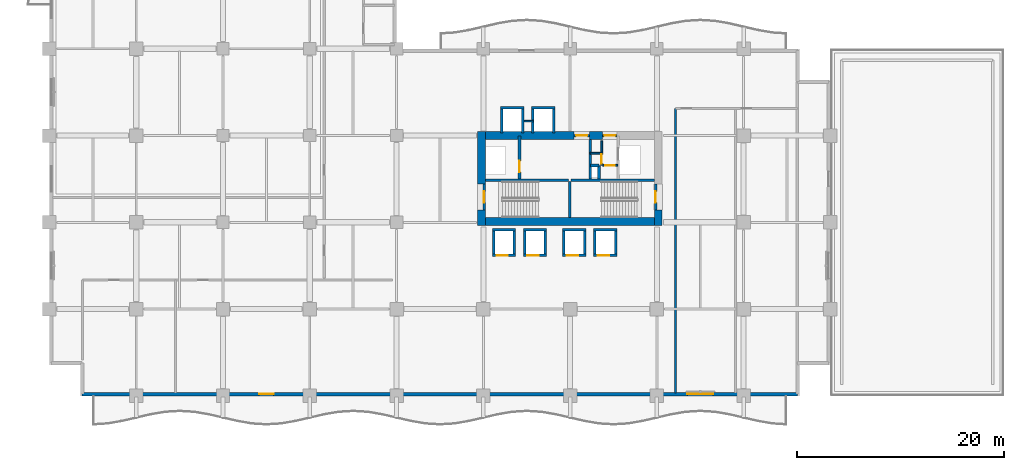
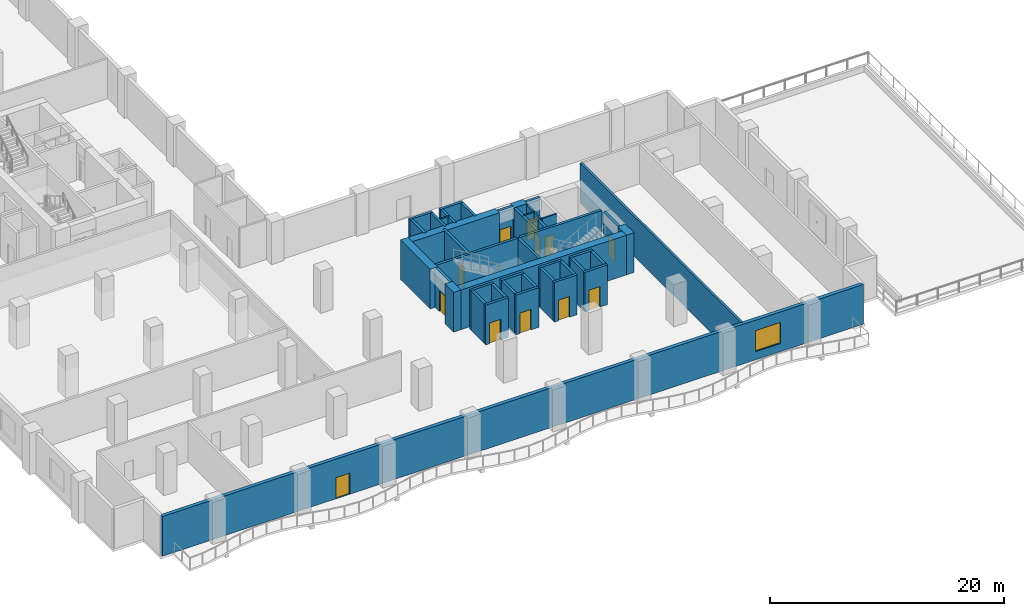
# One storey, part 8 of 21: 45 walls, 12 doors, 1 window, 13 openings.
"""IFC4 building model written with IfcOpenShell, lengths in metres."""

from ifc_helpers import new_model, si_unit, direction, frame, frame_2d, origin, place, context, subcontext, project, spatial, rectangle, extrude, material, layer, layer_set, type_object, element, fill, save


model = new_model("IFC4")

# Units and contexts
model_context = context("Model", 3, precision=1e-05, world=origin(), true_north=direction((0.0, 1.0)))
body_context = subcontext(model_context, "Body", "Model", "MODEL_VIEW")
ifc_project = project(units=[si_unit("LENGTHUNIT", "METRE"), si_unit("AREAUNIT", "SQUARE_METRE"), si_unit("VOLUMEUNIT", "CUBIC_METRE"), si_unit("PLANEANGLEUNIT", "RADIAN"), si_unit("MASSUNIT", "GRAM", prefix="KILO")], contexts=[model_context])

# Site, building, storey
site_placement = place(None, origin())
site = spatial("IfcSite", under=ifc_project, at=site_placement, CompositionType="ELEMENT")
building_placement = place(site_placement, origin())
building = spatial("IfcBuilding", under=site, at=building_placement, Name="Koriwani Terraces Tower", CompositionType="ELEMENT")
storey_placement = place(building_placement, frame((0.0, 0.0, 85.199951171875)))
storey = spatial("IfcBuildingStorey", under=building, at=storey_placement, Name="L20", CompositionType="ELEMENT", Elevation=85.199951171875)

# Walls
ifc_material_1 = material(Name="Concrete C60/75", Category="concrete")
ifc_layer_1 = layer(ifc_material_1, 0.75, Name="Concrete C60/75")
ifc_layer_set_1 = layer_set([ifc_layer_1], Name="Concrete C60/75")
wall_type_1 = type_object("IfcWallType", Name="WALL_CORE_RC_750", PredefinedType="SHEAR", material=ifc_layer_set_1)
wall_1_placement = place(storey_placement, frame((41.824951171875, 16.5, 0.0), z_axis=(0.0, 0.0, 1.0), x_axis=(0.0, 1.0, 0.0)))
element("IfcWall", 1, at=wall_1_placement, inside=storey, type_object=wall_type_1, Name="L20 East Split Core Shear Wall W1", PredefinedType="SHEAR", context=body_context, shape_type="SweptSolid", body=[
    extrude(rectangle(XDim=1.5, YDim=0.75, at=frame_2d((0.75, 0.0))), origin(), (0.0, 0.0, 1.0), 4.150146484375),
])
wall_2_placement = place(storey_placement, frame((41.824951171875, 20.5, 0.0), z_axis=(0.0, 0.0, 1.0), x_axis=(0.0, 1.0, 0.0)))
element("IfcWall", 2, at=wall_2_placement, inside=storey, type_object=wall_type_1, Name="L20 East Split Core Shear Wall W2", PredefinedType="SHEAR", context=body_context, shape_type="SweptSolid", body=[
    extrude(rectangle(XDim=5.074951171875, YDim=0.75, at=frame_2d((2.53759765625, 0.0))), origin(), (0.0, 0.0, 1.0), 4.150146484375),
])
wall_3_placement = place(storey_placement, frame((58.925048828125, 16.5, 0.0), z_axis=(0.0, 0.0, 1.0), x_axis=(0.0, 1.0, 0.0)))
element("IfcWall", 3, at=wall_3_placement, inside=storey, type_object=wall_type_1, Name="L20 East Split Core Shear Wall E1", PredefinedType="SHEAR", context=body_context, shape_type="SweptSolid", body=[
    extrude(rectangle(XDim=1.5, YDim=0.75, at=frame_2d((0.75, 0.0))), origin(), (0.0, 0.0, 1.0), 4.150146484375),
])
wall_4_placement = place(storey_placement, frame((42.199951171875, 16.875, 0.0), z_axis=(0.0, 0.0, 1.0), x_axis=(1.0, 0.0, 0.0)))
element("IfcWall", 4, at=wall_4_placement, inside=storey, type_object=wall_type_1, Name="L20 East Split Core Shear Wall S1", PredefinedType="SHEAR", context=body_context, shape_type="SweptSolid", body=[
    extrude(rectangle(XDim=16.35009765625, YDim=0.75, at=frame_2d((8.175048828125, 0.0))), origin(), (0.0, 0.0, 1.0), 4.150146484375),
])
wall_5_placement = place(storey_placement, frame((42.199951171875, 25.199951171875, 0.0), z_axis=(0.0, 0.0, 1.0), x_axis=(1.0, 0.0, 0.0)))
element("IfcWall", 5, at=wall_5_placement, inside=storey, type_object=wall_type_1, Name="L20 East Split Core Shear Wall N1", PredefinedType="SHEAR", context=body_context, shape_type="SweptSolid", body=[
    extrude(rectangle(XDim=8.60009765625, YDim=0.75, at=frame_2d((4.300048828125, 0.0))), origin(), (0.0, 0.0, 1.0), 4.150146484375),
])
wall_6_placement = place(storey_placement, frame((52.280029296875, 25.199951171875, 0.0), z_axis=(0.0, 0.0, 1.0), x_axis=(1.0, 0.0, 0.0)))
element("IfcWall", 6, at=wall_6_placement, inside=storey, type_object=wall_type_1, Name="L20 East Split Core Shear Wall N2", PredefinedType="SHEAR", context=body_context, shape_type="SweptSolid", body=[
    extrude(rectangle(XDim=1.27001953125, YDim=0.75, at=frame_2d((0.635009765625, 0.0))), origin(), (0.0, 0.0, 1.0), 4.150146484375),
])
ifc_material_2 = material(Name="Autoclaved Cellular Concrete Blockwork", Category="masonry")
ifc_layer_2 = layer(ifc_material_2, 0.219970703125, Name="Autoclaved Cellular Concrete Blockwork")
ifc_layer_set_2 = layer_set([ifc_layer_2], Name="Autoclaved Cellular Concrete Blockwork")
wall_type_2 = type_object("IfcWallType", Name="WALL_DEMISING_220", PredefinedType="PARTITIONING", material=ifc_layer_set_2)
wall_7_placement = place(storey_placement, frame((60.60009765625, 0.300048828125, 0.0), z_axis=(0.0, 0.0, 1.0), x_axis=(0.0, 1.0, 0.0)))
element("IfcWall", 7, at=wall_7_placement, inside=storey, type_object=wall_type_2, Name="L20 Interior Wall WSKY-EW-L20", PredefinedType="PARTITIONING", context=body_context, shape_type="SweptSolid", body=[
    extrude(rectangle(XDim=27.5, YDim=0.219970703125, at=frame_2d((13.75, 0.0))), origin(), (0.0, 0.0, 1.0), 4.150146484375),
])

# Wall, openings, door, window
ifc_material_3 = material(Name="Concrete C50/60", Category="concrete")
ifc_layer_3 = layer(ifc_material_3, 0.35009765625, Name="Concrete C50/60")
ifc_layer_set_3 = layer_set([ifc_layer_3], Name="Concrete C50/60")
wall_type_3 = type_object("IfcWallType", Name="WALL_EXT_BRUTALIST_350", PredefinedType="STANDARD", material=ifc_layer_set_3)
wall_8_placement = place(storey_placement, frame((72.425048828125, 0.175048828125, 0.0), z_axis=(0.0, 0.0, 1.0), x_axis=(-1.0, 0.0, 0.0)))
wall_8 = element("IfcWall", 8, at=wall_8_placement, inside=storey, type_object=wall_type_3, Name="L20 Fair-Faced Brutalist Exterior Wall (S)", PredefinedType="STANDARD", context=body_context, shape_type="SweptSolid", body=[
    extrude(rectangle(XDim=69.25, YDim=0.35009765625, at=frame_2d((34.625, 0.0))), origin(), (0.0, 0.0, 1.0), 4.150146484375),
])
opening_1_placement = place(wall_8_placement, frame((50.72509765625, 0.0, 0.0)))
opening_1 = element("IfcOpeningElement", 9, at=opening_1_placement, cuts=wall_8, Name="Opening D-09", PredefinedType="OPENING", context=body_context, shape_type="SweptSolid", body=[
    extrude(rectangle(XDim=1.39990234375, YDim=2.199951171875, at=frame_2d((0.699951171875, 1.10009765625))), frame((0.0, 0.18505859375, 0.0), z_axis=(0.0, -1.0, 0.0), x_axis=(1.0, 0.0, 0.0)), (0.0, 0.0, 1.0), 0.3701171875),
])
opening_2_placement = place(wall_8_placement, frame((8.175048828125, 0.0, 0.85009765625)))
opening_2 = element("IfcOpeningElement", 10, at=opening_2_placement, cuts=wall_8, Name="Opening W-07", PredefinedType="OPENING", context=body_context, shape_type="SweptSolid", body=[
    extrude(rectangle(XDim=2.5, YDim=2.199951171875, at=frame_2d((1.25, 1.10009765625))), frame((0.0, 0.18505859375, 0.0), z_axis=(0.0, -1.0, 0.0), x_axis=(1.0, 0.0, 0.0)), (0.0, 0.0, 1.0), 0.3701171875),
])
ifc_material_4 = material(Name="Anodised Bronze Aluminium", Category="aluminium")
door_type_1 = type_object("IfcDoorType", Name="DOOR_BALCONY_GLAZED_1400X2200", OperationType="NOTDEFINED", PredefinedType="DOOR", material=ifc_material_4)
door_1_placement = place(opening_1_placement, origin())
door_1 = element("IfcDoor", 11, at=door_1_placement, inside=storey, type_object=door_type_1, Name="L20 South Balcony Glazed Door", OperationType="SINGLE_SWING_LEFT", OverallHeight=2.199951171875, OverallWidth=1.39990234375, PredefinedType="DOOR", context=body_context, shape_type="SweptSolid", body=[
    extrude(rectangle(XDim=1.39990234375, YDim=2.199951171875, at=frame_2d((0.699951171875, 1.10009765625))), frame((0.0, 0.02490234375, 0.0), z_axis=(0.0, -1.0, 0.0), x_axis=(1.0, 0.0, 0.0)), (0.0, 0.0, 1.0), 0.050048828125),
])
fill(opening_1, door_1)
ifc_material_5 = material(Name="Tempered Laminated Low-E Glass", Category="glass")
window_type = type_object("IfcWindowType", Name="WIN_SKY_LOUNGE_2500X2200", PartitioningType="SINGLE_PANEL", PredefinedType="WINDOW", material=ifc_material_5)
window_placement = place(opening_2_placement, origin())
window = element("IfcWindow", 12, at=window_placement, inside=storey, type_object=window_type, Name="L20 Exterior Window (S-21)", OverallHeight=2.199951171875, OverallWidth=2.5, PartitioningType="SINGLE_PANEL", PredefinedType="WINDOW", context=body_context, shape_type="SweptSolid", body=[
    extrude(rectangle(XDim=2.5, YDim=2.199951171875, at=frame_2d((1.25, 1.10009765625))), frame((0.0, 0.030029296875, 0.0), z_axis=(0.0, -1.0, 0.0), x_axis=(1.0, 0.0, 0.0)), (0.0, 0.0, 1.0), 0.06005859375),
])
fill(opening_2, window)

# Walls
ifc_material_6 = material(Name="Concrete C40/50", Category="concrete")
ifc_layer_4 = layer(ifc_material_6, 0.25, Name="Concrete C40/50")
ifc_layer_set_4 = layer_set([ifc_layer_4], Name="Concrete C40/50")
wall_type_4 = type_object("IfcWallType", Name="WALL_SHAFT_RATED_250", PredefinedType="SOLIDWALL", material=ifc_layer_set_4)
for number, where, z_axis, x_axis, name in (
    (13, (42.199951171875, 20.875, 0.0), (0.0, 0.0, 1.0), (1.0, 0.0, 0.0), "L20 East Split Core Web Wall MID1"),
    (14, (50.5, 20.875, 0.0), (0.0, 0.0, 1.0), (1.0, 0.0, 0.0), "L20 East Split Core Web Wall MID2"),
):
    element("IfcWall", number, at=place(storey_placement, frame(where, z_axis=z_axis, x_axis=x_axis)), inside=storey, type_object=wall_type_4, Name=name, PredefinedType="SOLIDWALL", context=body_context, shape_type="SweptSolid", body=[
        extrude(rectangle(XDim=8.050048828125, YDim=0.25, at=frame_2d((4.02490234375, 0.0))), origin(), (0.0, 0.0, 1.0), 4.150146484375),
    ])
wall_9_placement = place(storey_placement, frame((50.375, 17.25, 0.0), z_axis=(0.0, 0.0, 1.0), x_axis=(0.0, 1.0, 0.0)))
element("IfcWall", 15, at=wall_9_placement, inside=storey, type_object=wall_type_4, Name="L20 East Split Core Stair Dividing Wall", PredefinedType="SOLIDWALL", context=body_context, shape_type="SweptSolid", body=[
    extrude(rectangle(XDim=3.5, YDim=0.25, at=frame_2d((1.75, 0.0))), origin(), (0.0, 0.0, 1.0), 4.150146484375),
])

# Wall, opening, door
wall_10_placement = place(storey_placement, frame((42.074951171875, 18.0, 0.0), z_axis=(0.0, 0.0, 1.0), x_axis=(0.0, 1.0, 0.0)))
wall_10 = element("IfcWall", 16, at=wall_10_placement, inside=storey, type_object=wall_type_4, Name="L20 Interior Wall WIN-CE-L20-STW", PredefinedType="SOLIDWALL", context=body_context, shape_type="SweptSolid", body=[
    extrude(rectangle(XDim=2.5, YDim=0.25, at=frame_2d((1.25, 0.0))), origin(), (0.0, 0.0, 1.0), 4.150146484375),
])
opening_3_placement = place(wall_10_placement, frame((0.699951171875, 0.0, 0.0)))
opening_3 = element("IfcOpeningElement", 17, at=opening_3_placement, cuts=wall_10, Name="Opening D-03", PredefinedType="OPENING", context=body_context, shape_type="SweptSolid", body=[
    extrude(rectangle(XDim=1.10009765625, YDim=2.14990234375, at=frame_2d((0.550048828125, 1.074951171875))), frame((0.0, 0.135009765625, 0.0), z_axis=(0.0, -1.0, 0.0), x_axis=(1.0, 0.0, 0.0)), (0.0, 0.0, 1.0), 0.27001953125),
])
ifc_material_7 = material(Name="Steel ASTM A572 Grade 50", Category="steel")
door_type_2 = type_object("IfcDoorType", Name="DOOR_STAIR_FIRE_1100X2150", OperationType="NOTDEFINED", PredefinedType="DOOR", material=ifc_material_7)
door_2_placement = place(opening_3_placement, origin())
door_2 = element("IfcDoor", 18, at=door_2_placement, inside=storey, type_object=door_type_2, Name="L20 Exit Stair ST-E1 Door", OperationType="SINGLE_SWING_LEFT", OverallHeight=2.14990234375, OverallWidth=1.10009765625, PredefinedType="DOOR", context=body_context, shape_type="SweptSolid", body=[
    extrude(rectangle(XDim=1.10009765625, YDim=2.14990234375, at=frame_2d((0.550048828125, 1.074951171875))), frame((0.0, 0.02490234375, 0.0), z_axis=(0.0, -1.0, 0.0), x_axis=(1.0, 0.0, 0.0)), (0.0, 0.0, 1.0), 0.050048828125),
])
fill(opening_3, door_2)

wall_11_placement = place(storey_placement, frame((58.675048828125, 18.0, 0.0), z_axis=(0.0, 0.0, 1.0), x_axis=(0.0, 1.0, 0.0)))
wall_11 = element("IfcWall", 19, at=wall_11_placement, inside=storey, type_object=wall_type_4, Name="L20 Interior Wall WIN-CE-L20-STE", PredefinedType="SOLIDWALL", context=body_context, shape_type="SweptSolid", body=[
    extrude(rectangle(XDim=2.5, YDim=0.25, at=frame_2d((1.25, 0.0))), origin(), (0.0, 0.0, 1.0), 4.150146484375),
])
opening_4_placement = place(wall_11_placement, frame((0.699951171875, 0.0, 0.0)))
opening_4 = element("IfcOpeningElement", 20, at=opening_4_placement, cuts=wall_11, Name="Opening D-03", PredefinedType="OPENING", context=body_context, shape_type="SweptSolid", body=[
    extrude(rectangle(XDim=1.10009765625, YDim=2.14990234375, at=frame_2d((0.550048828125, 1.074951171875))), frame((0.0, 0.135009765625, 0.0), z_axis=(0.0, -1.0, 0.0), x_axis=(1.0, 0.0, 0.0)), (0.0, 0.0, 1.0), 0.27001953125),
])
door_3_placement = place(opening_4_placement, origin())
door_3 = element("IfcDoor", 21, at=door_3_placement, inside=storey, type_object=door_type_2, Name="L20 Exit Stair ST-E2 Door", OperationType="SINGLE_SWING_RIGHT", OverallHeight=2.14990234375, OverallWidth=1.10009765625, PredefinedType="DOOR", context=body_context, shape_type="SweptSolid", body=[
    extrude(rectangle(XDim=1.10009765625, YDim=2.14990234375, at=frame_2d((0.550048828125, 1.074951171875))), frame((0.0, 0.02490234375, 0.0), z_axis=(0.0, -1.0, 0.0), x_axis=(1.0, 0.0, 0.0)), (0.0, 0.0, 1.0), 0.050048828125),
])
fill(opening_4, door_3)

wall_12_placement = place(storey_placement, frame((45.5, 21.0, 0.0), z_axis=(0.0, 0.0, 1.0), x_axis=(0.0, 1.0, 0.0)))
wall_12 = element("IfcWall", 22, at=wall_12_placement, inside=storey, type_object=wall_type_4, Name="L20 Interior Wall WIN-CE-L20-FE", PredefinedType="SOLIDWALL", context=body_context, shape_type="SweptSolid", body=[
    extrude(rectangle(XDim=4.14990234375, YDim=0.25, at=frame_2d((2.074951171875, 0.0))), origin(), (0.0, 0.0, 1.0), 4.150146484375),
])
opening_5_placement = place(wall_12_placement, frame((0.64990234375, 0.0, 0.0)))
opening_5 = element("IfcOpeningElement", 23, at=opening_5_placement, cuts=wall_12, Name="Opening LD-01", PredefinedType="OPENING", context=body_context, shape_type="SweptSolid", body=[
    extrude(rectangle(XDim=1.10009765625, YDim=2.14990234375, at=frame_2d((0.550048828125, 1.074951171875))), frame((0.0, 0.135009765625, 0.0), z_axis=(0.0, -1.0, 0.0), x_axis=(1.0, 0.0, 0.0)), (0.0, 0.0, 1.0), 0.27001953125),
])
door_type_3 = type_object("IfcDoorType", Name="DOOR_LIFT_LANDING_1100X2200", OperationType="NOTDEFINED", PredefinedType="DOOR", material=ifc_material_7)
door_4_placement = place(opening_5_placement, origin())
door_4 = element("IfcDoor", 24, at=door_4_placement, inside=storey, type_object=door_type_3, Name="L20 Firefighting Lift FE-02 Landing Door", OperationType="SLIDING_TO_LEFT", OverallHeight=2.14990234375, OverallWidth=1.10009765625, PredefinedType="DOOR", context=body_context, shape_type="SweptSolid", body=[
    extrude(rectangle(XDim=1.10009765625, YDim=2.14990234375, at=frame_2d((0.550048828125, 1.074951171875))), frame((0.0, 0.02490234375, 0.0), z_axis=(0.0, -1.0, 0.0), x_axis=(1.0, 0.0, 0.0)), (0.0, 0.0, 1.0), 0.050048828125),
])
fill(opening_5, door_4)

wall_13_placement = place(storey_placement, frame((50.800048828125, 25.199951171875, 0.0), z_axis=(0.0, 0.0, 1.0), x_axis=(1.0, 0.0, 0.0)))
wall_13 = element("IfcWall", 25, at=wall_13_placement, inside=storey, type_object=wall_type_4, Name="L20 Interior Wall WIN-CE-L20-NP", PredefinedType="SOLIDWALL", context=body_context, shape_type="SweptSolid", body=[
    extrude(rectangle(XDim=1.47998046875, YDim=0.25, at=frame_2d((0.739990234375, 0.0))), origin(), (0.0, 0.0, 1.0), 4.150146484375),
])
opening_6_placement = place(wall_13_placement, frame((0.179931640625, 0.0, 0.0)))
opening_6 = element("IfcOpeningElement", 26, at=opening_6_placement, cuts=wall_13, Name="Opening D-03", PredefinedType="OPENING", context=body_context, shape_type="SweptSolid", body=[
    extrude(rectangle(XDim=1.10009765625, YDim=2.14990234375, at=frame_2d((0.550048828125, 1.074951171875))), frame((0.0, 0.135009765625, 0.0), z_axis=(0.0, -1.0, 0.0), x_axis=(1.0, 0.0, 0.0)), (0.0, 0.0, 1.0), 0.27001953125),
])
door_5_placement = place(opening_6_placement, origin())
door_5 = element("IfcDoor", 27, at=door_5_placement, inside=storey, type_object=door_type_2, Name="L20 East Firefighting Lobby Door", OperationType="SINGLE_SWING_LEFT", OverallHeight=2.14990234375, OverallWidth=1.10009765625, PredefinedType="DOOR", context=body_context, shape_type="SweptSolid", body=[
    extrude(rectangle(XDim=1.10009765625, YDim=2.14990234375, at=frame_2d((0.550048828125, 1.074951171875))), frame((0.0, 0.02490234375, 0.0), z_axis=(0.0, -1.0, 0.0), x_axis=(1.0, 0.0, 0.0)), (0.0, 0.0, 1.0), 0.050048828125),
])
fill(opening_6, door_5)

# Wall
wall_14_placement = place(storey_placement, frame((52.340087890625, 21.0, 0.0), z_axis=(0.0, 0.0, 1.0), x_axis=(0.0, 1.0, 0.0)))
element("IfcWall", 28, at=wall_14_placement, inside=storey, type_object=wall_type_4, Name="L20 Interior Wall WIN-CE-L20-FFE", PredefinedType="SOLIDWALL", context=body_context, shape_type="SweptSolid", body=[
    extrude(rectangle(XDim=3.824951171875, YDim=0.25, at=frame_2d((1.91259765625, 0.0))), origin(), (0.0, 0.0, 1.0), 4.150146484375),
])

# Wall, opening, door
wall_15_placement = place(storey_placement, frame((53.550048828125, 25.199951171875, 0.0), z_axis=(0.0, 0.0, 1.0), x_axis=(1.0, 0.0, 0.0)))
wall_15 = element("IfcWall", 29, at=wall_15_placement, inside=storey, type_object=wall_type_4, Name="L20 Interior Wall WIN-CE-L20-NP2", PredefinedType="SOLIDWALL", context=body_context, shape_type="SweptSolid", body=[
    extrude(rectangle(XDim=1.39990234375, YDim=0.25, at=frame_2d((0.699951171875, 0.0))), origin(), (0.0, 0.0, 1.0), 4.150146484375),
])
opening_7_placement = place(wall_15_placement, frame((0.14990234375, 0.0, 0.0)))
opening_7 = element("IfcOpeningElement", 30, at=opening_7_placement, cuts=wall_15, Name="Opening D-03", PredefinedType="OPENING", context=body_context, shape_type="SweptSolid", body=[
    extrude(rectangle(XDim=1.10009765625, YDim=2.14990234375, at=frame_2d((0.550048828125, 1.074951171875))), frame((0.0, 0.135009765625, 0.0), z_axis=(0.0, -1.0, 0.0), x_axis=(1.0, 0.0, 0.0)), (0.0, 0.0, 1.0), 0.27001953125),
])
door_6_placement = place(opening_7_placement, origin())
door_6 = element("IfcDoor", 31, at=door_6_placement, inside=storey, type_object=door_type_2, Name="L20 East Goods Lift Lobby Door", OperationType="SINGLE_SWING_RIGHT", OverallHeight=2.14990234375, OverallWidth=1.10009765625, PredefinedType="DOOR", context=body_context, shape_type="SweptSolid", body=[
    extrude(rectangle(XDim=1.10009765625, YDim=2.14990234375, at=frame_2d((0.550048828125, 1.074951171875))), frame((0.0, 0.02490234375, 0.0), z_axis=(0.0, -1.0, 0.0), x_axis=(1.0, 0.0, 0.0)), (0.0, 0.0, 1.0), 0.050048828125),
])
fill(opening_7, door_6)

# Walls
wall_16_placement = place(storey_placement, frame((53.199951171875, 21.0, 0.0), z_axis=(0.0, 0.0, 1.0), x_axis=(0.0, 1.0, 0.0)))
element("IfcWall", 32, at=wall_16_placement, inside=storey, type_object=wall_type_4, Name="L20 Interior Wall WIN-CE-L20-RS1", PredefinedType="SOLIDWALL", context=body_context, shape_type="SweptSolid", body=[
    extrude(rectangle(XDim=1.300048828125, YDim=0.25, at=frame_2d((0.64990234375, 0.0))), origin(), (0.0, 0.0, 1.0), 4.150146484375),
])
wall_17_placement = place(storey_placement, frame((52.360107421875, 22.300048828125, 0.0), z_axis=(0.0, 0.0, 1.0), x_axis=(1.0, 0.0, 0.0)))
element("IfcWall", 33, at=wall_17_placement, inside=storey, type_object=wall_type_4, Name="L20 Interior Wall WIN-CE-L20-RS2", PredefinedType="SOLIDWALL", context=body_context, shape_type="SweptSolid", body=[
    extrude(rectangle(XDim=0.83984375, YDim=0.25, at=frame_2d((0.419921875, 0.0))), origin(), (0.0, 0.0, 1.0), 4.150146484375),
])

# Wall, opening, door
wall_18_placement = place(storey_placement, frame((42.875, 13.60009765625, 0.0), z_axis=(0.0, 0.0, 1.0), x_axis=(1.0, 0.0, 0.0)))
wall_18 = element("IfcWall", 34, at=wall_18_placement, inside=storey, type_object=wall_type_4, Name="L20 Interior Wall WIN-LF-PE-L3-L20-F", PredefinedType="SOLIDWALL", context=body_context, shape_type="SweptSolid", body=[
    extrude(rectangle(XDim=2.25, YDim=0.25, at=frame_2d((1.125, 0.0))), origin(), (0.0, 0.0, 1.0), 4.150146484375),
])
opening_8_placement = place(wall_18_placement, frame((0.39990234375, 0.0, 0.0)))
opening_8 = element("IfcOpeningElement", 35, at=opening_8_placement, cuts=wall_18, Name="Opening LD-01", PredefinedType="OPENING", context=body_context, shape_type="SweptSolid", body=[
    extrude(rectangle(XDim=1.10009765625, YDim=2.14990234375, at=frame_2d((0.550048828125, 1.074951171875))), frame((0.0, 0.135009765625, 0.0), z_axis=(0.0, -1.0, 0.0), x_axis=(1.0, 0.0, 0.0)), (0.0, 0.0, 1.0), 0.27001953125),
])
door_7_placement = place(opening_8_placement, origin())
door_7 = element("IfcDoor", 36, at=door_7_placement, inside=storey, type_object=door_type_3, Name="L20 Passenger Lift PE-L3 Landing Door", OperationType="SLIDING_TO_LEFT", OverallHeight=2.14990234375, OverallWidth=1.10009765625, PredefinedType="DOOR", context=body_context, shape_type="SweptSolid", body=[
    extrude(rectangle(XDim=1.10009765625, YDim=2.14990234375, at=frame_2d((0.550048828125, 1.074951171875))), frame((0.0, 0.02490234375, 0.0), z_axis=(0.0, -1.0, 0.0), x_axis=(1.0, 0.0, 0.0)), (0.0, 0.0, 1.0), 0.050048828125),
])
fill(opening_8, door_7)

# Walls
for number, where, z_axis, x_axis, name in (
    (37, (42.875, 16.10009765625, 0.0), (0.0, 0.0, 1.0), (1.0, 0.0, 0.0), "L20 Interior Wall WIN-LF-PE-L3-L20-B"),
    (38, (43.0, 13.72509765625, 0.0), (0.0, 0.0, 1.0), (0.0, 1.0, 0.0), "L20 Interior Wall WIN-LF-PE-L3-L20-W"),
    (39, (45.0, 13.72509765625, 0.0), (0.0, 0.0, 1.0), (0.0, 1.0, 0.0), "L20 Interior Wall WIN-LF-PE-L3-L20-E"),
):
    element("IfcWall", number, at=place(storey_placement, frame(where, z_axis=z_axis, x_axis=x_axis)), inside=storey, type_object=wall_type_4, Name=name, PredefinedType="SOLIDWALL", context=body_context, shape_type="SweptSolid", body=[
        extrude(rectangle(XDim=2.25, YDim=0.25, at=frame_2d((1.125, 0.0))), origin(), (0.0, 0.0, 1.0), 4.150146484375),
    ])

# Wall, opening, door
wall_19_placement = place(storey_placement, frame((45.875, 13.60009765625, 0.0), z_axis=(0.0, 0.0, 1.0), x_axis=(1.0, 0.0, 0.0)))
wall_19 = element("IfcWall", 40, at=wall_19_placement, inside=storey, type_object=wall_type_4, Name="L20 Interior Wall WIN-LF-PE-L4-L20-F", PredefinedType="SOLIDWALL", context=body_context, shape_type="SweptSolid", body=[
    extrude(rectangle(XDim=2.25, YDim=0.25, at=frame_2d((1.125, 0.0))), origin(), (0.0, 0.0, 1.0), 4.150146484375),
])
opening_9_placement = place(wall_19_placement, frame((0.39990234375, 0.0, 0.0)))
opening_9 = element("IfcOpeningElement", 41, at=opening_9_placement, cuts=wall_19, Name="Opening LD-01", PredefinedType="OPENING", context=body_context, shape_type="SweptSolid", body=[
    extrude(rectangle(XDim=1.10009765625, YDim=2.14990234375, at=frame_2d((0.550048828125, 1.074951171875))), frame((0.0, 0.135009765625, 0.0), z_axis=(0.0, -1.0, 0.0), x_axis=(1.0, 0.0, 0.0)), (0.0, 0.0, 1.0), 0.27001953125),
])
door_8_placement = place(opening_9_placement, origin())
door_8 = element("IfcDoor", 42, at=door_8_placement, inside=storey, type_object=door_type_3, Name="L20 Passenger Lift PE-L4 Landing Door", OperationType="SLIDING_TO_LEFT", OverallHeight=2.14990234375, OverallWidth=1.10009765625, PredefinedType="DOOR", context=body_context, shape_type="SweptSolid", body=[
    extrude(rectangle(XDim=1.10009765625, YDim=2.14990234375, at=frame_2d((0.550048828125, 1.074951171875))), frame((0.0, 0.02490234375, 0.0), z_axis=(0.0, -1.0, 0.0), x_axis=(1.0, 0.0, 0.0)), (0.0, 0.0, 1.0), 0.050048828125),
])
fill(opening_9, door_8)

# Walls
for number, where, z_axis, x_axis, name in (
    (43, (45.875, 16.10009765625, 0.0), (0.0, 0.0, 1.0), (1.0, 0.0, 0.0), "L20 Interior Wall WIN-LF-PE-L4-L20-B"),
    (44, (46.0, 13.72509765625, 0.0), (0.0, 0.0, 1.0), (0.0, 1.0, 0.0), "L20 Interior Wall WIN-LF-PE-L4-L20-W"),
    (45, (48.0, 13.72509765625, 0.0), (0.0, 0.0, 1.0), (0.0, 1.0, 0.0), "L20 Interior Wall WIN-LF-PE-L4-L20-E"),
):
    element("IfcWall", number, at=place(storey_placement, frame(where, z_axis=z_axis, x_axis=x_axis)), inside=storey, type_object=wall_type_4, Name=name, PredefinedType="SOLIDWALL", context=body_context, shape_type="SweptSolid", body=[
        extrude(rectangle(XDim=2.25, YDim=0.25, at=frame_2d((1.125, 0.0))), origin(), (0.0, 0.0, 1.0), 4.150146484375),
    ])

# Wall, opening, door
wall_20_placement = place(storey_placement, frame((49.675048828125, 13.60009765625, 0.0), z_axis=(0.0, 0.0, 1.0), x_axis=(1.0, 0.0, 0.0)))
wall_20 = element("IfcWall", 46, at=wall_20_placement, inside=storey, type_object=wall_type_4, Name="L20 Interior Wall WIN-LF-PE-M3-L20-F", PredefinedType="SOLIDWALL", context=body_context, shape_type="SweptSolid", body=[
    extrude(rectangle(XDim=2.25, YDim=0.25, at=frame_2d((1.125, 0.0))), origin(), (0.0, 0.0, 1.0), 4.150146484375),
])
opening_10_placement = place(wall_20_placement, frame((0.39990234375, 0.0, 0.0)))
opening_10 = element("IfcOpeningElement", 47, at=opening_10_placement, cuts=wall_20, Name="Opening LD-01", PredefinedType="OPENING", context=body_context, shape_type="SweptSolid", body=[
    extrude(rectangle(XDim=1.10009765625, YDim=2.14990234375, at=frame_2d((0.550048828125, 1.074951171875))), frame((0.0, 0.135009765625, 0.0), z_axis=(0.0, -1.0, 0.0), x_axis=(1.0, 0.0, 0.0)), (0.0, 0.0, 1.0), 0.27001953125),
])
door_9_placement = place(opening_10_placement, origin())
door_9 = element("IfcDoor", 48, at=door_9_placement, inside=storey, type_object=door_type_3, Name="L20 Passenger Lift PE-M3 Landing Door", OperationType="SLIDING_TO_LEFT", OverallHeight=2.14990234375, OverallWidth=1.10009765625, PredefinedType="DOOR", context=body_context, shape_type="SweptSolid", body=[
    extrude(rectangle(XDim=1.10009765625, YDim=2.14990234375, at=frame_2d((0.550048828125, 1.074951171875))), frame((0.0, 0.02490234375, 0.0), z_axis=(0.0, -1.0, 0.0), x_axis=(1.0, 0.0, 0.0)), (0.0, 0.0, 1.0), 0.050048828125),
])
fill(opening_10, door_9)

# Walls
for number, where, z_axis, x_axis, name in (
    (49, (49.675048828125, 16.10009765625, 0.0), (0.0, 0.0, 1.0), (1.0, 0.0, 0.0), "L20 Interior Wall WIN-LF-PE-M3-L20-B"),
    (50, (49.800048828125, 13.72509765625, 0.0), (0.0, 0.0, 1.0), (0.0, 1.0, 0.0), "L20 Interior Wall WIN-LF-PE-M3-L20-W"),
    (51, (51.800048828125, 13.72509765625, 0.0), (0.0, 0.0, 1.0), (0.0, 1.0, 0.0), "L20 Interior Wall WIN-LF-PE-M3-L20-E"),
):
    element("IfcWall", number, at=place(storey_placement, frame(where, z_axis=z_axis, x_axis=x_axis)), inside=storey, type_object=wall_type_4, Name=name, PredefinedType="SOLIDWALL", context=body_context, shape_type="SweptSolid", body=[
        extrude(rectangle(XDim=2.25, YDim=0.25, at=frame_2d((1.125, 0.0))), origin(), (0.0, 0.0, 1.0), 4.150146484375),
    ])

# Wall, opening, door
wall_21_placement = place(storey_placement, frame((52.675048828125, 13.60009765625, 0.0), z_axis=(0.0, 0.0, 1.0), x_axis=(1.0, 0.0, 0.0)))
wall_21 = element("IfcWall", 52, at=wall_21_placement, inside=storey, type_object=wall_type_4, Name="L20 Interior Wall WIN-LF-PE-M4-L20-F", PredefinedType="SOLIDWALL", context=body_context, shape_type="SweptSolid", body=[
    extrude(rectangle(XDim=2.25, YDim=0.25, at=frame_2d((1.125, 0.0))), origin(), (0.0, 0.0, 1.0), 4.150146484375),
])
opening_11_placement = place(wall_21_placement, frame((0.39990234375, 0.0, 0.0)))
opening_11 = element("IfcOpeningElement", 53, at=opening_11_placement, cuts=wall_21, Name="Opening LD-01", PredefinedType="OPENING", context=body_context, shape_type="SweptSolid", body=[
    extrude(rectangle(XDim=1.10009765625, YDim=2.14990234375, at=frame_2d((0.550048828125, 1.074951171875))), frame((0.0, 0.135009765625, 0.0), z_axis=(0.0, -1.0, 0.0), x_axis=(1.0, 0.0, 0.0)), (0.0, 0.0, 1.0), 0.27001953125),
])
door_10_placement = place(opening_11_placement, origin())
door_10 = element("IfcDoor", 54, at=door_10_placement, inside=storey, type_object=door_type_3, Name="L20 Passenger Lift PE-M4 Landing Door", OperationType="SLIDING_TO_LEFT", OverallHeight=2.14990234375, OverallWidth=1.10009765625, PredefinedType="DOOR", context=body_context, shape_type="SweptSolid", body=[
    extrude(rectangle(XDim=1.10009765625, YDim=2.14990234375, at=frame_2d((0.550048828125, 1.074951171875))), frame((0.0, 0.02490234375, 0.0), z_axis=(0.0, -1.0, 0.0), x_axis=(1.0, 0.0, 0.0)), (0.0, 0.0, 1.0), 0.050048828125),
])
fill(opening_11, door_10)

# Walls
for number, where, z_axis, x_axis, name in (
    (55, (52.675048828125, 16.10009765625, 0.0), (0.0, 0.0, 1.0), (1.0, 0.0, 0.0), "L20 Interior Wall WIN-LF-PE-M4-L20-B"),
    (56, (52.800048828125, 13.72509765625, 0.0), (0.0, 0.0, 1.0), (0.0, 1.0, 0.0), "L20 Interior Wall WIN-LF-PE-M4-L20-W"),
    (57, (54.800048828125, 13.72509765625, 0.0), (0.0, 0.0, 1.0), (0.0, 1.0, 0.0), "L20 Interior Wall WIN-LF-PE-M4-L20-E"),
    (58, (43.675048828125, 27.89990234375, 0.0), (0.0, 0.0, 1.0), (1.0, 0.0, 0.0), "L20 Interior Wall WIN-LF-PE-H3-L20-F"),
):
    element("IfcWall", number, at=place(storey_placement, frame(where, z_axis=z_axis, x_axis=x_axis)), inside=storey, type_object=wall_type_4, Name=name, PredefinedType="SOLIDWALL", context=body_context, shape_type="SweptSolid", body=[
        extrude(rectangle(XDim=2.25, YDim=0.25, at=frame_2d((1.125, 0.0))), origin(), (0.0, 0.0, 1.0), 4.150146484375),
    ])
for number, where, z_axis, x_axis, name in (
    (59, (43.800048828125, 25.449951171875, 0.0), (0.0, 0.0, 1.0), (0.0, 1.0, 0.0), "L20 Interior Wall WIN-LF-PE-H3-L20-W"),
    (60, (45.800048828125, 25.449951171875, 0.0), (0.0, 0.0, 1.0), (0.0, 1.0, 0.0), "L20 Interior Wall WIN-LF-PE-H3-L20-E"),
):
    element("IfcWall", number, at=place(storey_placement, frame(where, z_axis=z_axis, x_axis=x_axis)), inside=storey, type_object=wall_type_4, Name=name, PredefinedType="SOLIDWALL", context=body_context, shape_type="SweptSolid", body=[
        extrude(rectangle(XDim=2.324951171875, YDim=0.25, at=frame_2d((1.16259765625, 0.0))), origin(), (0.0, 0.0, 1.0), 4.150146484375),
    ])
wall_22_placement = place(storey_placement, frame((46.675048828125, 27.89990234375, 0.0), z_axis=(0.0, 0.0, 1.0), x_axis=(1.0, 0.0, 0.0)))
element("IfcWall", 61, at=wall_22_placement, inside=storey, type_object=wall_type_4, Name="L20 Interior Wall WIN-LF-PE-H4-L20-F", PredefinedType="SOLIDWALL", context=body_context, shape_type="SweptSolid", body=[
    extrude(rectangle(XDim=2.25, YDim=0.25, at=frame_2d((1.125, 0.0))), origin(), (0.0, 0.0, 1.0), 4.150146484375),
])
for number, where, z_axis, x_axis, name in (
    (62, (46.800048828125, 25.449951171875, 0.0), (0.0, 0.0, 1.0), (0.0, 1.0, 0.0), "L20 Interior Wall WIN-LF-PE-H4-L20-W"),
    (63, (48.800048828125, 25.449951171875, 0.0), (0.0, 0.0, 1.0), (0.0, 1.0, 0.0), "L20 Interior Wall WIN-LF-PE-H4-L20-E"),
):
    element("IfcWall", number, at=place(storey_placement, frame(where, z_axis=z_axis, x_axis=x_axis)), inside=storey, type_object=wall_type_4, Name=name, PredefinedType="SOLIDWALL", context=body_context, shape_type="SweptSolid", body=[
        extrude(rectangle(XDim=2.324951171875, YDim=0.25, at=frame_2d((1.16259765625, 0.0))), origin(), (0.0, 0.0, 1.0), 4.150146484375),
    ])

# Wall, opening, door
ifc_material_8 = material(Name="Fire-Rated Acoustic Gypsum Partition", Category="masonry")
ifc_layer_5 = layer(ifc_material_8, 0.159912109375, Name="Fire-Rated Acoustic Gypsum Partition")
ifc_layer_set_5 = layer_set([ifc_layer_5], Name="Fire-Rated Acoustic Gypsum Partition")
wall_type_5 = type_object("IfcWallType", Name="WALL_SUITE_160", PredefinedType="PARTITIONING", material=ifc_layer_set_5)
wall_23_placement = place(storey_placement, frame((53.56005859375, 22.320068359375, 0.0), z_axis=(0.0, 0.0, 1.0), x_axis=(1.0, 0.0, 0.0)))
wall_23 = element("IfcWall", 64, at=wall_23_placement, inside=storey, type_object=wall_type_5, Name="L20 Interior Wall WIN-CE-L20-SV2A", PredefinedType="PARTITIONING", context=body_context, shape_type="SweptSolid", body=[
    extrude(rectangle(XDim=1.43994140625, YDim=0.159912109375, at=frame_2d((0.719970703125, 0.0))), origin(), (0.0, 0.0, 1.0), 4.150146484375),
])
opening_12_placement = place(wall_23_placement, frame((0.260009765625, 0.0, 0.0)))
opening_12 = element("IfcOpeningElement", 65, at=opening_12_placement, cuts=wall_23, Name="Opening D-07", PredefinedType="OPENING", context=body_context, shape_type="SweptSolid", body=[
    extrude(rectangle(XDim=0.89990234375, YDim=2.10009765625, at=frame_2d((0.449951171875, 1.050048828125))), frame((0.0, 0.08984375, 0.0), z_axis=(0.0, -1.0, 0.0), x_axis=(1.0, 0.0, 0.0)), (0.0, 0.0, 1.0), 0.179931640625),
])
ifc_material_9 = material(Name="Architectural Oak Fire Door", Category="wood")
door_type_4 = type_object("IfcDoorType", Name="DOOR_BATH_INT_900X2100", OperationType="NOTDEFINED", PredefinedType="DOOR", material=ifc_material_9)
door_11_placement = place(opening_12_placement, origin())
door_11 = element("IfcDoor", 66, at=door_11_placement, inside=storey, type_object=door_type_4, Name="L20 East Meter Room Door", OperationType="SINGLE_SWING_LEFT", OverallHeight=2.10009765625, OverallWidth=0.89990234375, PredefinedType="DOOR", context=body_context, shape_type="SweptSolid", body=[
    extrude(rectangle(XDim=0.89990234375, YDim=2.10009765625, at=frame_2d((0.449951171875, 1.050048828125))), frame((0.0, 0.02490234375, 0.0), z_axis=(0.0, -1.0, 0.0), x_axis=(1.0, 0.0, 0.0)), (0.0, 0.0, 1.0), 0.050048828125),
])
fill(opening_12, door_11)

wall_24_placement = place(storey_placement, frame((53.4599609375, 22.320068359375, 0.0), z_axis=(0.0, 0.0, 1.0), x_axis=(0.0, 1.0, 0.0)))
wall_24 = element("IfcWall", 67, at=wall_24_placement, inside=storey, type_object=wall_type_5, Name="L20 Interior Wall WIN-CE-L20-SV2H", PredefinedType="PARTITIONING", context=body_context, shape_type="SweptSolid", body=[
    extrude(rectangle(XDim=2.35986328125, YDim=0.159912109375, at=frame_2d((1.179931640625, 0.0))), origin(), (0.0, 0.0, 1.0), 4.150146484375),
])
opening_13_placement = place(wall_24_placement, frame((0.159912109375, 0.0, 0.0)))
opening_13 = element("IfcOpeningElement", 68, at=opening_13_placement, cuts=wall_24, Name="Opening D-07", PredefinedType="OPENING", context=body_context, shape_type="SweptSolid", body=[
    extrude(rectangle(XDim=0.89990234375, YDim=2.10009765625, at=frame_2d((0.449951171875, 1.050048828125))), frame((0.0, 0.08984375, 0.0), z_axis=(0.0, -1.0, 0.0), x_axis=(1.0, 0.0, 0.0)), (0.0, 0.0, 1.0), 0.179931640625),
])
door_12_placement = place(opening_13_placement, origin())
door_12 = element("IfcDoor", 69, at=door_12_placement, inside=storey, type_object=door_type_4, Name="L20 East Valve Room Door", OperationType="SINGLE_SWING_RIGHT", OverallHeight=2.10009765625, OverallWidth=0.89990234375, PredefinedType="DOOR", context=body_context, shape_type="SweptSolid", body=[
    extrude(rectangle(XDim=0.89990234375, YDim=2.10009765625, at=frame_2d((0.449951171875, 1.050048828125))), frame((0.0, 0.02490234375, 0.0), z_axis=(0.0, -1.0, 0.0), x_axis=(1.0, 0.0, 0.0)), (0.0, 0.0, 1.0), 0.050048828125),
])
fill(opening_13, door_12)

# Walls
wall_25_placement = place(storey_placement, frame((52.360107421875, 23.47998046875, 0.0), z_axis=(0.0, 0.0, 1.0), x_axis=(1.0, 0.0, 0.0)))
element("IfcWall", 70, at=wall_25_placement, inside=storey, type_object=wall_type_5, Name="L20 Interior Wall WIN-CE-L20-SV2V", PredefinedType="PARTITIONING", context=body_context, shape_type="SweptSolid", body=[
    extrude(rectangle(XDim=1.099853515625, YDim=0.159912109375, at=frame_2d((0.5498046875, 0.0))), origin(), (0.0, 0.0, 1.0), 4.150146484375),
])
wall_26_placement = place(storey_placement, frame((45.9599609375, 26.60009765625, 0.0), z_axis=(0.0, 0.0, 1.0), x_axis=(1.0, 0.0, 0.0)))
element("IfcWall", 71, at=wall_26_placement, inside=storey, type_object=wall_type_5, Name="L20 Interior Wall WIN-LF-PEH34-MID-L20", PredefinedType="PARTITIONING", context=body_context, shape_type="SweptSolid", body=[
    extrude(rectangle(XDim=0.880126953125, YDim=0.159912109375, at=frame_2d((0.43994140625, 0.0))), origin(), (0.0, 0.0, 1.0), 4.150146484375),
])

save(model, "model.ifc")
